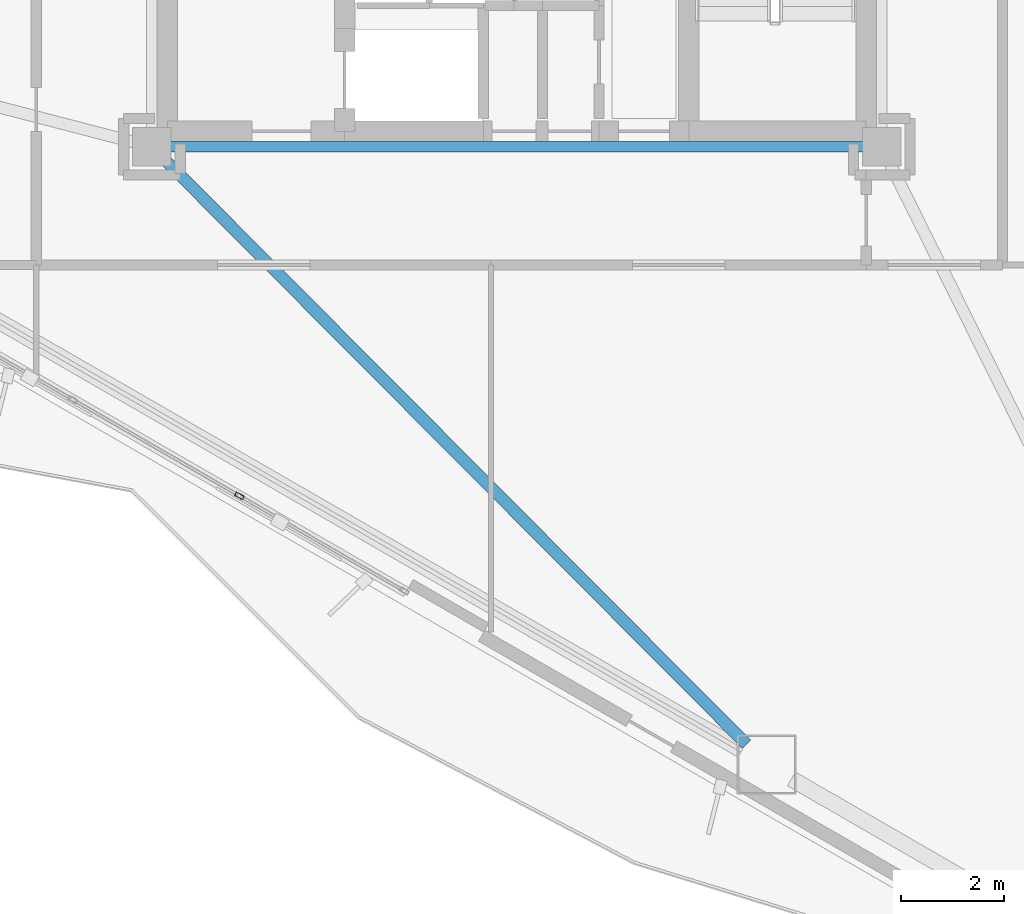
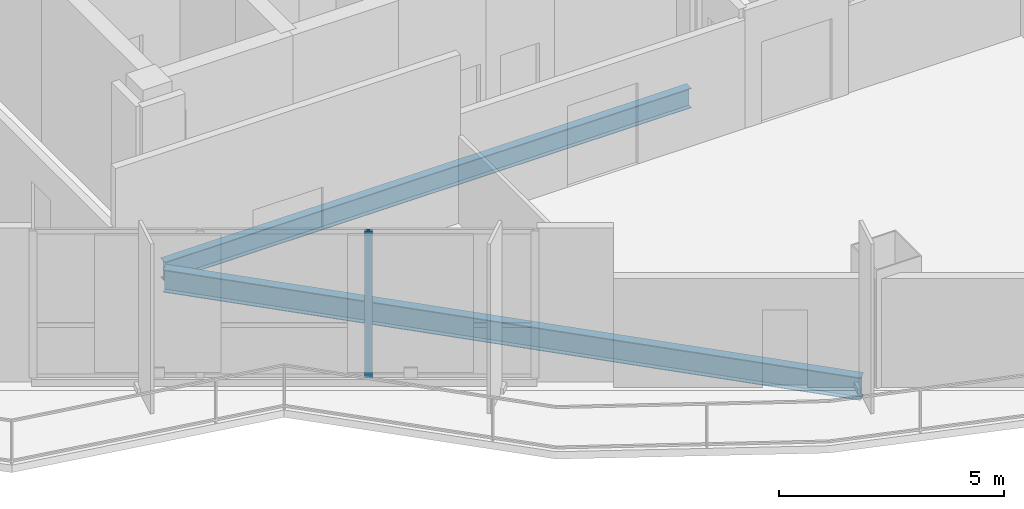
# One storey, part 4 of 20: 2 beams, 1 member, 1 element without a shape of its own.
"""IFC4 building model written with IfcOpenShell, lengths in metres."""

import ifcopenshell
import ifcopenshell.guid

model = None  # the IFC model being written
_history = None  # IfcOwnerHistory: only IFC2X3 demands one
_inside = {}  # id of a spatial element -> (the spatial element, [elements in it])
_under = {}  # id of a project, library or spatial element -> (it, [spatial elements below it])
_declared = {}  # id of a project -> (the project, [libraries it declares])
_typed = {}  # id of a type object -> (the type object, [elements of that type])
_made_of = {}  # id of a material, layer set ... -> (it, [elements and type objects made of it])


def new_model(schema):
    """Start an empty IFC model of exactly this schema.

    Asked for "IFC4X3", IfcOpenShell would pick the latest addendum, in which some entities
    have other attributes; the version numbers below select the first issue.
    IFC2X3 requires an IfcOwnerHistory on every rooted entity: one is made here for all.
    """
    global model, _history
    if schema == "IFC4X3":
        model = ifcopenshell.file(schema_version=(4, 3, 0, 0))
    else:
        model = ifcopenshell.file(schema=schema)
    _inside.clear()
    _under.clear()
    _declared.clear()
    _typed.clear()
    _made_of.clear()
    _history = None
    if model.schema == "IFC2X3":
        org = make("IfcOrganization", Name="unknown")
        user = make(
            "IfcPersonAndOrganization",
            ThePerson=make("IfcPerson", FamilyName="unknown"),
            TheOrganization=org,
        )
        app = make(
            "IfcApplication",
            ApplicationDeveloper=org,
            Version="unknown",
            ApplicationFullName="unknown",
            ApplicationIdentifier="unknown",
        )
        _history = make(
            "IfcOwnerHistory",
            OwningUser=user,
            OwningApplication=app,
            ChangeAction="ADDED",
            CreationDate=0,
        )
    return model


def make(cls, **values):
    """One entity of the class cls with the attributes given. An attribute that is None is left unset."""
    return model.create_entity(
        cls, **{name: value for name, value in values.items() if value is not None}
    )


def rooted(cls, **values):
    """An entity with a GlobalId (a new one), such as an element, a storey or a relation."""
    return make(cls, GlobalId=ifcopenshell.guid.new(), OwnerHistory=_history, **values)


def si_unit(unit_type, name, prefix=None):
    """IfcSIUnit, for example si_unit("LENGTHUNIT", "METRE", prefix="MILLI")."""
    return make("IfcSIUnit", UnitType=unit_type, Prefix=prefix, Name=name)


def assignment(units):
    """IfcUnitAssignment: the units of a project."""
    return None if units is None else make("IfcUnitAssignment", Units=units)


def point(xyz):
    """IfcCartesianPoint."""
    return None if xyz is None else make("IfcCartesianPoint", Coordinates=xyz)


def direction(xyz):
    """IfcDirection."""
    return None if xyz is None else make("IfcDirection", DirectionRatios=xyz)


def frame(location, z_axis=None, x_axis=None):
    """IfcAxis2Placement3D, a coordinate frame: its origin and axes. An axis left out is left unset."""
    return make(
        "IfcAxis2Placement3D",
        Location=point(location),
        Axis=direction(z_axis),
        RefDirection=direction(x_axis),
    )


def frame_2d(location, x_axis=None):
    """IfcAxis2Placement2D, a coordinate frame in the plane: its origin and x axis."""
    return make(
        "IfcAxis2Placement2D", Location=point(location), RefDirection=direction(x_axis)
    )


def origin():
    """The frame at (0, 0, 0) with its axes left unset."""
    return frame((0.0, 0.0, 0.0))


def origin_2d():
    """The frame at (0, 0) in the plane with its x axis left unset."""
    return frame_2d((0.0, 0.0))


def place(relative_to, where):
    """IfcLocalPlacement: puts the frame where relative to a parent placement (None: the world)."""
    return make(
        "IfcLocalPlacement", PlacementRelTo=relative_to, RelativePlacement=where
    )


def context(
    kind, dimensions, precision=None, world=None, true_north=None, identifier=None
):
    """IfcGeometricRepresentationContext, for example the 3D "Model" context."""
    return make(
        "IfcGeometricRepresentationContext",
        ContextIdentifier=identifier,
        ContextType=kind,
        CoordinateSpaceDimension=dimensions,
        Precision=precision,
        WorldCoordinateSystem=world,
        TrueNorth=true_north,
    )


def subcontext(parent, identifier, kind, view, scale=None):
    """IfcGeometricRepresentationSubContext, for example "Body" below "Model"."""
    return make(
        "IfcGeometricRepresentationSubContext",
        ContextIdentifier=identifier,
        ContextType=kind,
        ParentContext=parent,
        TargetScale=scale,
        TargetView=view,
    )


def project(units=None, contexts=None):
    """IfcProject with its units and contexts."""
    return rooted(
        "IfcProject",
        Name="project",
        RepresentationContexts=contexts,
        UnitsInContext=assignment(units),
    )


def spatial(cls, under=None, at=None, **own):
    """A site, building, storey or space (cls), placed at a placement, below another one or the project."""
    s = rooted(cls, ObjectPlacement=at, **own)
    if under is not None:
        _under.setdefault(under.id(), (under, []))[1].append(s)
    return s


def profile(cls, at=None, kind="AREA", **sizes):
    """A parametric profile (cls). Its sizes go by their IFC names, for example OverallWidth=200.0."""
    return make(cls, ProfileType=kind, Position=at, **sizes)


def hollow_rectangle(**sizes):
    """IfcRectangleHollowProfileDef."""
    return profile("IfcRectangleHollowProfileDef", **sizes)


def i_section(**sizes):
    """IfcIShapeProfileDef."""
    return profile("IfcIShapeProfileDef", **sizes)


def extrude(swept, where, along, depth):
    """IfcExtrudedAreaSolid: the profile swept, set in the frame where, extruded along a direction by depth."""
    return make(
        "IfcExtrudedAreaSolid",
        SweptArea=swept,
        Position=where,
        ExtrudedDirection=direction(along),
        Depth=depth,
    )


def shape(context_of_items, identifier, shape_type, items):
    """IfcShapeRepresentation: the items that make up one representation, for example the "Body"."""
    return make(
        "IfcShapeRepresentation",
        ContextOfItems=context_of_items,
        RepresentationIdentifier=identifier,
        RepresentationType=shape_type,
        Items=items,
    )


def material(Name=None, Category=None):
    """IfcMaterial."""
    return make("IfcMaterial", Name=Name, Category=Category)


def layer(
    of_material, thickness, ventilated=None, Name=None, Category=None, Priority=None
):
    """IfcMaterialLayer: one layer of a wall or slab, of a material (None: an air gap)."""
    return make(
        "IfcMaterialLayer",
        Material=of_material,
        LayerThickness=thickness,
        IsVentilated=ventilated,
        Name=Name,
        Category=Category,
        Priority=Priority,
    )


def layer_set(layers, Name=None):
    """IfcMaterialLayerSet."""
    return make("IfcMaterialLayerSet", MaterialLayers=layers, LayerSetName=Name)


def material_profile(
    of_material, cross_section, Name=None, Category=None, Priority=None
):
    """IfcMaterialProfile: a cross section and its material."""
    return make(
        "IfcMaterialProfile",
        Name=Name,
        Material=of_material,
        Profile=cross_section,
        Priority=Priority,
        Category=Category,
    )


def profile_set(profiles, Name=None, composite=None):
    """IfcMaterialProfileSet."""
    return make(
        "IfcMaterialProfileSet",
        Name=Name,
        MaterialProfiles=profiles,
        CompositeProfile=composite,
    )


def made_of(thing, what):
    """Note that an element or type object is made of a material, layer set ...; save() writes the relation."""
    if what is not None:
        _made_of.setdefault(what.id(), (what, []))[1].append(thing)
    return thing


def type_object(cls, material=None, **own):
    """A type object (cls), such as IfcWallType, which elements share."""
    return made_of(rooted(cls, **own), material)


def element(
    cls,
    number,
    at=None,
    inside=None,
    cuts=None,
    type_object=None,
    material=None,
    context=None,
    identifier="Body",
    shape_type=None,
    held_by="IfcProductDefinitionShape",
    body=None,
    shapes=None,
    **own,
):
    """One element of the class cls, such as IfcWall. Its Tag is "e" and its number.

    at: its placement. inside: the storey or other place that contains it. cuts: it is an
    opening in that element (IfcRelVoidsElement). A single representation is given by context,
    identifier, shape_type and body (its items); several are given by shapes. held_by: the class
    of the entity that holds the representations. save() writes the other relations.
    """
    e = rooted(cls, Tag="e%d" % number, ObjectPlacement=at, **own)
    if body is not None:
        shapes = [shape(context, identifier, shape_type, body)]
    if shapes is not None:
        e.Representation = make(held_by, Representations=shapes)
    if inside is not None:
        _inside.setdefault(inside.id(), (inside, []))[1].append(e)
    if cuts is not None:
        rooted(
            "IfcRelVoidsElement", RelatingBuildingElement=cuts, RelatedOpeningElement=e
        )
    if type_object is not None:
        _typed.setdefault(type_object.id(), (type_object, []))[1].append(e)
    return made_of(e, material)


def aggregate(whole, parts):
    """IfcRelAggregates: a whole, such as a stair, and the parts it consists of."""
    return rooted("IfcRelAggregates", RelatingObject=whole, RelatedObjects=parts)


def save(model, path):
    """Write the relations noted so far, then the file.

    IfcRelAggregates (storeys below a building ...), IfcRelContainedInSpatialStructure (elements
    in a storey), IfcRelDefinesByType, IfcRelAssociatesMaterial and IfcRelDeclares: one each for
    every whole, place, type object, material and project.
    """
    for whole, parts in _under.values():
        aggregate(whole, parts)
    for where, things in _inside.values():
        rooted(
            "IfcRelContainedInSpatialStructure",
            RelatedElements=things,
            RelatingStructure=where,
        )
    for kind, things in _typed.values():
        rooted("IfcRelDefinesByType", RelatedObjects=things, RelatingType=kind)
    for what, things in _made_of.values():
        rooted("IfcRelAssociatesMaterial", RelatedObjects=things, RelatingMaterial=what)
    for by, libraries in _declared.values():
        rooted("IfcRelDeclares", RelatingContext=by, RelatedDefinitions=libraries)
    model.write(path)


model = new_model("IFC4")

# Units and contexts
model_context = context("Model", 3, precision=1e-05, world=origin(), true_north=direction((0.0, 1.0)))
body_context = subcontext(model_context, "Body", "Model", "MODEL_VIEW")
ifc_project = project(units=[si_unit("LENGTHUNIT", "METRE"), si_unit("AREAUNIT", "SQUARE_METRE"), si_unit("VOLUMEUNIT", "CUBIC_METRE"), si_unit("PLANEANGLEUNIT", "RADIAN"), si_unit("MASSUNIT", "GRAM", prefix="KILO")], contexts=[model_context])

# Site, building, storey
site_placement = place(None, origin())
site = spatial("IfcSite", under=ifc_project, at=site_placement, CompositionType="ELEMENT")
building_placement = place(site_placement, origin())
building = spatial("IfcBuilding", under=site, at=building_placement, Name="Mersakhor Tower and Convention Hall", CompositionType="ELEMENT")
storey_placement = place(building_placement, frame((0.0, 0.0, 116.39990234375)))
storey = spatial("IfcBuildingStorey", under=building, at=storey_placement, Name="L32", CompositionType="ELEMENT", Elevation=116.39990234375)

# Beams
ifc_material_1 = material(Name="Steel S355", Category="steel")
ifc_material_profile_1 = material_profile(ifc_material_1, i_section(OverallWidth=0.2099609375, OverallDepth=0.53662109375, WebThickness=0.0107421875, FlangeThickness=0.017333984375, at=origin_2d()), Name="UB 533x210x101")
ifc_profile_set_1 = profile_set([ifc_material_profile_1], Name="Steel S355")
beam_type_1 = type_object("IfcBeamType", Name="BM-FB-533", PredefinedType="BEAM", material=ifc_profile_set_1)
beam_1_placement = place(storey_placement, frame((35.7451171875, 20.449951171875, -0.548095703125), z_axis=(-1.0, 0.0, 0.0), x_axis=(0.0, -1.0, 0.0)))
element("IfcBeam", 1, at=beam_1_placement, inside=storey, type_object=beam_type_1, Name="L32 Core Ring Tie Beam CRB-4", PredefinedType="BEAM", context=body_context, shape_type="SweptSolid", body=[
    extrude(i_section(OverallWidth=0.2099609375, OverallDepth=0.53662109375, WebThickness=0.0107421875, FlangeThickness=0.017333984375, at=origin_2d()), origin(), (0.0, 0.0, 1.0), 13.490234375),
])
ifc_material_2 = material(Name="Steel S355", Category="steel")
ifc_material_profile_2 = material_profile(ifc_material_2, i_section(OverallWidth=0.22900390625, OverallDepth=0.6123046875, WebThickness=0.011962890625, FlangeThickness=0.01953125, at=origin_2d()), Name="UB 610x229x125")
ifc_profile_set_2 = profile_set([ifc_material_profile_2], Name="Steel S355")
beam_type_2 = type_object("IfcBeamType", Name="BM-PR-610", PredefinedType="BEAM", material=ifc_profile_set_2)
beam_2_placement = place(storey_placement, frame((22.150390625, 20.198486328125, -0.5859375), z_axis=(0.705400971754, -0.708808485452, 0.0), x_axis=(0.708808485452, 0.705400971754, 0.0)))
element("IfcBeam", 2, at=beam_2_placement, inside=storey, type_object=beam_type_2, Name="L32 Primary Floor Girder FG-5", PredefinedType="BEAM", context=body_context, shape_type="SweptSolid", body=[
    extrude(i_section(OverallWidth=0.22900390625, OverallDepth=0.6123046875, WebThickness=0.011962890625, FlangeThickness=0.01953125, at=origin_2d()), origin(), (0.0, 0.0, 1.0), 16.049072265625),
])

# Curtain wall, member
ifc_material_3 = material(Name="Dark solar low-E aluminium curtain wall", Category="aluminium")
ifc_layer = layer(ifc_material_3, 0.199951171875)
ifc_layer_set = layer_set([ifc_layer], Name="Dark solar low-E aluminium curtain wall")
curtain_wall_type = type_object("IfcCurtainWallType", Name="CW-SYS-05", PredefinedType="USERDEFINED", material=ifc_layer_set)
curtain_wall_placement = place(storey_placement, origin())
curtain_wall = element("IfcCurtainWall", 3, at=curtain_wall_placement, inside=storey, type_object=curtain_wall_type, Name="L32 Dark-Glass Curtain Wall F3-B2", ObjectType="CURTAIN WALL", PredefinedType="USERDEFINED")
ifc_material_4 = material(Name="Anodised aluminium EN AW-6063 T6", Category="aluminium")
ifc_material_profile_3 = material_profile(ifc_material_4, hollow_rectangle(XDim=0.080078125, YDim=0.179931640625, WallThickness=0.008056640625, at=origin_2d()), Name="RHS 180x80x8")
ifc_profile_set_3 = profile_set([ifc_material_profile_3], Name="Anodised aluminium EN AW-6063 T6")
member_type = type_object("IfcMemberType", Name="CWM-180x80", PredefinedType="MULLION", material=ifc_profile_set_3)
member_placement = place(storey_placement, frame((23.603515625, 13.659912109375, 0.2001953125), z_axis=(0.0, 0.0, 1.0), x_axis=(-0.499997904985, -0.866026613339, 0.0)))
member = element("IfcMember", 4, at=member_placement, type_object=member_type, Name="CW-05 mullion 2", PredefinedType="MULLION", context=body_context, shape_type="SweptSolid", body=[
    extrude(hollow_rectangle(XDim=0.080078125, YDim=0.179931640625, WallThickness=0.008056640625, at=origin_2d()), origin(), (0.0, 0.0, 1.0), 3.97998046875),
])
aggregate(curtain_wall, [member])

save(model, "model.ifc")
